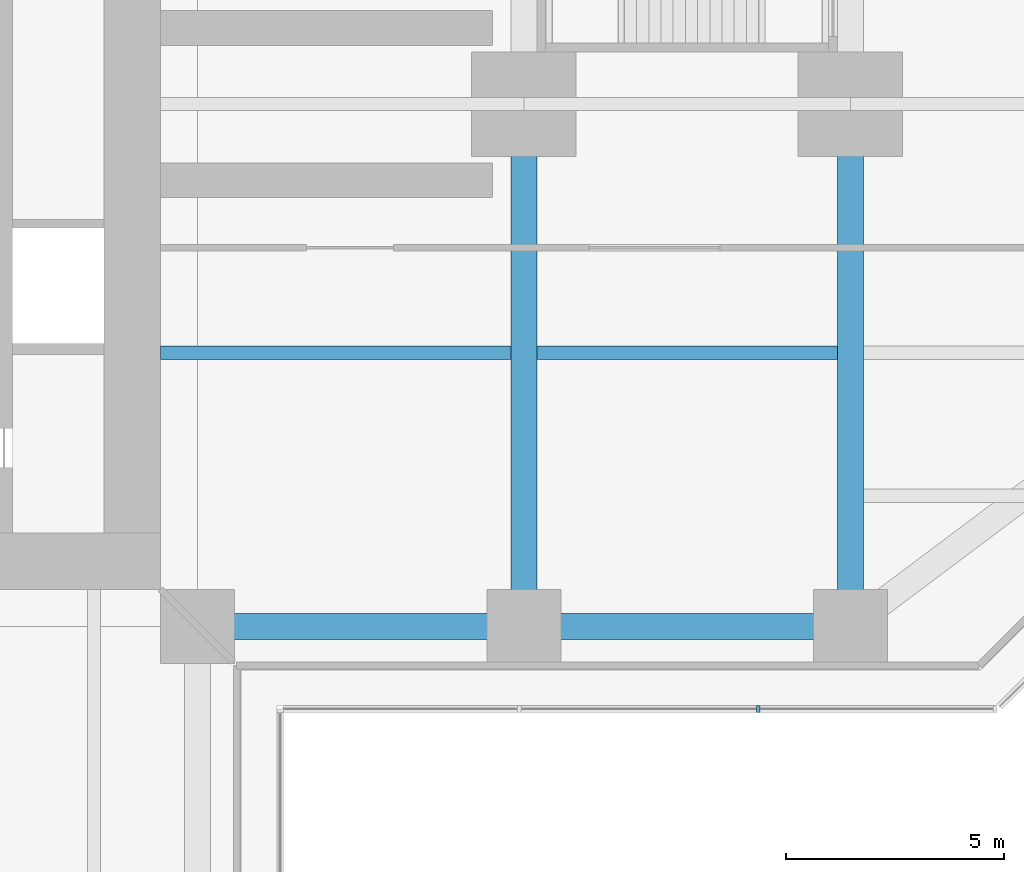
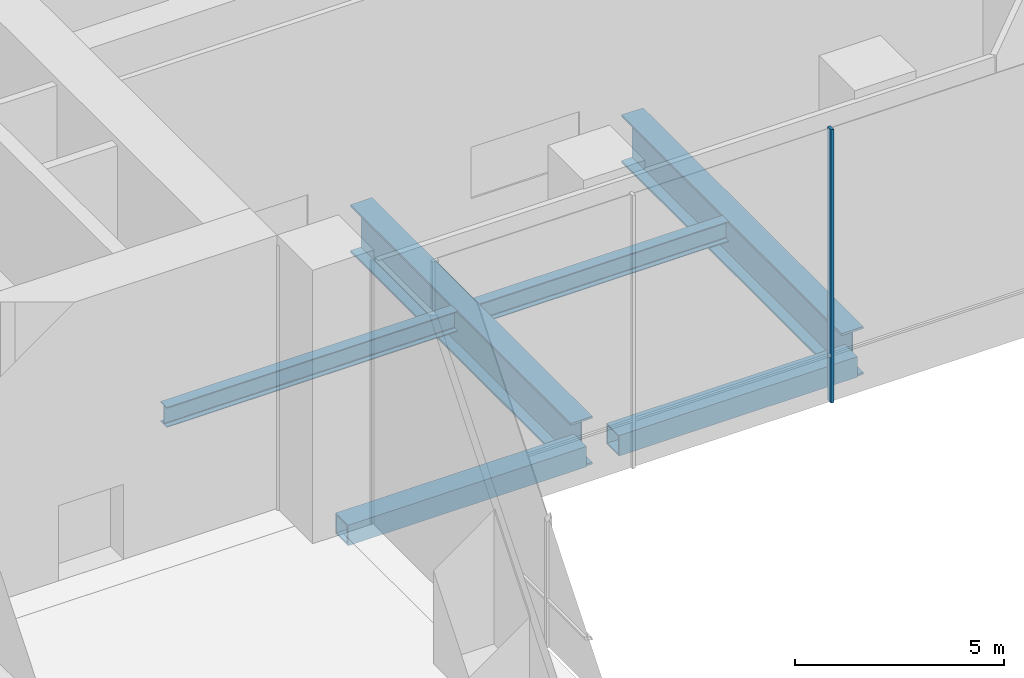
# One storey, part 6 of 25: 6 beams, 1 member, 1 element without a shape of its own.
"""IFC4 building model written with IfcOpenShell, lengths in metres."""

import ifcopenshell
import ifcopenshell.guid

model = None  # the IFC model being written
_history = None  # IfcOwnerHistory: only IFC2X3 demands one
_inside = {}  # id of a spatial element -> (the spatial element, [elements in it])
_under = {}  # id of a project, library or spatial element -> (it, [spatial elements below it])
_declared = {}  # id of a project -> (the project, [libraries it declares])
_typed = {}  # id of a type object -> (the type object, [elements of that type])
_made_of = {}  # id of a material, layer set ... -> (it, [elements and type objects made of it])


def new_model(schema):
    """Start an empty IFC model of exactly this schema.

    Asked for "IFC4X3", IfcOpenShell would pick the latest addendum, in which some entities
    have other attributes; the version numbers below select the first issue.
    IFC2X3 requires an IfcOwnerHistory on every rooted entity: one is made here for all.
    """
    global model, _history
    if schema == "IFC4X3":
        model = ifcopenshell.file(schema_version=(4, 3, 0, 0))
    else:
        model = ifcopenshell.file(schema=schema)
    _inside.clear()
    _under.clear()
    _declared.clear()
    _typed.clear()
    _made_of.clear()
    _history = None
    if model.schema == "IFC2X3":
        org = make("IfcOrganization", Name="unknown")
        user = make(
            "IfcPersonAndOrganization",
            ThePerson=make("IfcPerson", FamilyName="unknown"),
            TheOrganization=org,
        )
        app = make(
            "IfcApplication",
            ApplicationDeveloper=org,
            Version="unknown",
            ApplicationFullName="unknown",
            ApplicationIdentifier="unknown",
        )
        _history = make(
            "IfcOwnerHistory",
            OwningUser=user,
            OwningApplication=app,
            ChangeAction="ADDED",
            CreationDate=0,
        )
    return model


def make(cls, **values):
    """One entity of the class cls with the attributes given. An attribute that is None is left unset."""
    return model.create_entity(
        cls, **{name: value for name, value in values.items() if value is not None}
    )


def rooted(cls, **values):
    """An entity with a GlobalId (a new one), such as an element, a storey or a relation."""
    return make(cls, GlobalId=ifcopenshell.guid.new(), OwnerHistory=_history, **values)


def si_unit(unit_type, name, prefix=None):
    """IfcSIUnit, for example si_unit("LENGTHUNIT", "METRE", prefix="MILLI")."""
    return make("IfcSIUnit", UnitType=unit_type, Prefix=prefix, Name=name)


def assignment(units):
    """IfcUnitAssignment: the units of a project."""
    return None if units is None else make("IfcUnitAssignment", Units=units)


def point(xyz):
    """IfcCartesianPoint."""
    return None if xyz is None else make("IfcCartesianPoint", Coordinates=xyz)


def direction(xyz):
    """IfcDirection."""
    return None if xyz is None else make("IfcDirection", DirectionRatios=xyz)


def frame(location, z_axis=None, x_axis=None):
    """IfcAxis2Placement3D, a coordinate frame: its origin and axes. An axis left out is left unset."""
    return make(
        "IfcAxis2Placement3D",
        Location=point(location),
        Axis=direction(z_axis),
        RefDirection=direction(x_axis),
    )


def frame_2d(location, x_axis=None):
    """IfcAxis2Placement2D, a coordinate frame in the plane: its origin and x axis."""
    return make(
        "IfcAxis2Placement2D", Location=point(location), RefDirection=direction(x_axis)
    )


def origin():
    """The frame at (0, 0, 0) with its axes left unset."""
    return frame((0.0, 0.0, 0.0))


def origin_2d():
    """The frame at (0, 0) in the plane with its x axis left unset."""
    return frame_2d((0.0, 0.0))


def place(relative_to, where):
    """IfcLocalPlacement: puts the frame where relative to a parent placement (None: the world)."""
    return make(
        "IfcLocalPlacement", PlacementRelTo=relative_to, RelativePlacement=where
    )


def context(
    kind, dimensions, precision=None, world=None, true_north=None, identifier=None
):
    """IfcGeometricRepresentationContext, for example the 3D "Model" context."""
    return make(
        "IfcGeometricRepresentationContext",
        ContextIdentifier=identifier,
        ContextType=kind,
        CoordinateSpaceDimension=dimensions,
        Precision=precision,
        WorldCoordinateSystem=world,
        TrueNorth=true_north,
    )


def subcontext(parent, identifier, kind, view, scale=None):
    """IfcGeometricRepresentationSubContext, for example "Body" below "Model"."""
    return make(
        "IfcGeometricRepresentationSubContext",
        ContextIdentifier=identifier,
        ContextType=kind,
        ParentContext=parent,
        TargetScale=scale,
        TargetView=view,
    )


def project(units=None, contexts=None):
    """IfcProject with its units and contexts."""
    return rooted(
        "IfcProject",
        Name="project",
        RepresentationContexts=contexts,
        UnitsInContext=assignment(units),
    )


def spatial(cls, under=None, at=None, **own):
    """A site, building, storey or space (cls), placed at a placement, below another one or the project."""
    s = rooted(cls, ObjectPlacement=at, **own)
    if under is not None:
        _under.setdefault(under.id(), (under, []))[1].append(s)
    return s


def profile(cls, at=None, kind="AREA", **sizes):
    """A parametric profile (cls). Its sizes go by their IFC names, for example OverallWidth=200.0."""
    return make(cls, ProfileType=kind, Position=at, **sizes)


def rectangle(**sizes):
    """IfcRectangleProfileDef."""
    return profile("IfcRectangleProfileDef", **sizes)


def hollow_rectangle(**sizes):
    """IfcRectangleHollowProfileDef."""
    return profile("IfcRectangleHollowProfileDef", **sizes)


def i_section(**sizes):
    """IfcIShapeProfileDef."""
    return profile("IfcIShapeProfileDef", **sizes)


def extrude(swept, where, along, depth):
    """IfcExtrudedAreaSolid: the profile swept, set in the frame where, extruded along a direction by depth."""
    return make(
        "IfcExtrudedAreaSolid",
        SweptArea=swept,
        Position=where,
        ExtrudedDirection=direction(along),
        Depth=depth,
    )


def shape(context_of_items, identifier, shape_type, items):
    """IfcShapeRepresentation: the items that make up one representation, for example the "Body"."""
    return make(
        "IfcShapeRepresentation",
        ContextOfItems=context_of_items,
        RepresentationIdentifier=identifier,
        RepresentationType=shape_type,
        Items=items,
    )


def material(Name=None, Category=None):
    """IfcMaterial."""
    return make("IfcMaterial", Name=Name, Category=Category)


def material_profile(
    of_material, cross_section, Name=None, Category=None, Priority=None
):
    """IfcMaterialProfile: a cross section and its material."""
    return make(
        "IfcMaterialProfile",
        Name=Name,
        Material=of_material,
        Profile=cross_section,
        Priority=Priority,
        Category=Category,
    )


def profile_set(profiles, Name=None, composite=None):
    """IfcMaterialProfileSet."""
    return make(
        "IfcMaterialProfileSet",
        Name=Name,
        MaterialProfiles=profiles,
        CompositeProfile=composite,
    )


def made_of(thing, what):
    """Note that an element or type object is made of a material, layer set ...; save() writes the relation."""
    if what is not None:
        _made_of.setdefault(what.id(), (what, []))[1].append(thing)
    return thing


def type_object(cls, material=None, **own):
    """A type object (cls), such as IfcWallType, which elements share."""
    return made_of(rooted(cls, **own), material)


def element(
    cls,
    number,
    at=None,
    inside=None,
    cuts=None,
    type_object=None,
    material=None,
    context=None,
    identifier="Body",
    shape_type=None,
    held_by="IfcProductDefinitionShape",
    body=None,
    shapes=None,
    **own,
):
    """One element of the class cls, such as IfcWall. Its Tag is "e" and its number.

    at: its placement. inside: the storey or other place that contains it. cuts: it is an
    opening in that element (IfcRelVoidsElement). A single representation is given by context,
    identifier, shape_type and body (its items); several are given by shapes. held_by: the class
    of the entity that holds the representations. save() writes the other relations.
    """
    e = rooted(cls, Tag="e%d" % number, ObjectPlacement=at, **own)
    if body is not None:
        shapes = [shape(context, identifier, shape_type, body)]
    if shapes is not None:
        e.Representation = make(held_by, Representations=shapes)
    if inside is not None:
        _inside.setdefault(inside.id(), (inside, []))[1].append(e)
    if cuts is not None:
        rooted(
            "IfcRelVoidsElement", RelatingBuildingElement=cuts, RelatedOpeningElement=e
        )
    if type_object is not None:
        _typed.setdefault(type_object.id(), (type_object, []))[1].append(e)
    return made_of(e, material)


def aggregate(whole, parts):
    """IfcRelAggregates: a whole, such as a stair, and the parts it consists of."""
    return rooted("IfcRelAggregates", RelatingObject=whole, RelatedObjects=parts)


def save(model, path):
    """Write the relations noted so far, then the file.

    IfcRelAggregates (storeys below a building ...), IfcRelContainedInSpatialStructure (elements
    in a storey), IfcRelDefinesByType, IfcRelAssociatesMaterial and IfcRelDeclares: one each for
    every whole, place, type object, material and project.
    """
    for whole, parts in _under.values():
        aggregate(whole, parts)
    for where, things in _inside.values():
        rooted(
            "IfcRelContainedInSpatialStructure",
            RelatedElements=things,
            RelatingStructure=where,
        )
    for kind, things in _typed.values():
        rooted("IfcRelDefinesByType", RelatedObjects=things, RelatingType=kind)
    for what, things in _made_of.values():
        rooted("IfcRelAssociatesMaterial", RelatedObjects=things, RelatingMaterial=what)
    for by, libraries in _declared.values():
        rooted("IfcRelDeclares", RelatingContext=by, RelatedDefinitions=libraries)
    model.write(path)


model = new_model("IFC4")

# Units and contexts
model_context = context("Model", 3, precision=1e-05, world=origin(), true_north=direction((0.0, 1.0)))
body_context = subcontext(model_context, "Body", "Model", "MODEL_VIEW")
ifc_project = project(units=[si_unit("LENGTHUNIT", "METRE"), si_unit("AREAUNIT", "SQUARE_METRE"), si_unit("VOLUMEUNIT", "CUBIC_METRE"), si_unit("PLANEANGLEUNIT", "RADIAN"), si_unit("MASSUNIT", "GRAM", prefix="KILO")], contexts=[model_context])

# Site, building, storey
site_placement = place(None, origin())
site = spatial("IfcSite", under=ifc_project, at=site_placement, CompositionType="ELEMENT")
building_placement = place(site_placement, origin())
building = spatial("IfcBuilding", under=site, at=building_placement, Name="Mizan Broadcast Tower", CompositionType="ELEMENT")
storey_placement = place(building_placement, frame((0.0, 0.0, 15.0)))
storey = spatial("IfcBuildingStorey", under=building, at=storey_placement, Name="L02", CompositionType="ELEMENT", Elevation=15.0)

# Beams
ifc_material_1 = material(Name="Steel S355", Category="steel")
ifc_material_profile_1 = material_profile(ifc_material_1, hollow_rectangle(XDim=0.60009765625, YDim=0.60009765625, WallThickness=0.0400390625, at=origin_2d()), Name="BOX 600x600x40")
ifc_profile_set_1 = profile_set([ifc_material_profile_1], Name="Steel S355")
beam_type_1 = type_object("IfcBeamType", Name="EDGE BEAM BOX 600x600x40", PredefinedType="SPANDREL", material=ifc_profile_set_1)
for number, where, z_axis, x_axis, name in (
    (1, (12.449951171875, -12.0, -0.550048828125), (1.0, 0.0, 0.0), (0.0, 1.0, 0.0), "Edge beam BOX 600x600x40 L02 east arm"),
    (2, (19.949951171875, -12.0, -0.550048828125), (1.0, 0.0, 0.0), (0.0, 1.0, 0.0), "Edge beam BOX 600x600x40 L02 east arm"),
):
    element("IfcBeam", number, at=place(storey_placement, frame(where, z_axis=z_axis, x_axis=x_axis)), inside=storey, type_object=beam_type_1, Name=name, PredefinedType="SPANDREL", context=body_context, shape_type="SweptSolid", body=[
        extrude(hollow_rectangle(XDim=0.60009765625, YDim=0.60009765625, WallThickness=0.0400390625, at=origin_2d()), origin(), (0.0, 0.0, 1.0), 6.60009765625),
    ])
ifc_material_2 = material(Name="Steel S460", Category="steel")
ifc_material_profile_2 = material_profile(ifc_material_2, i_section(OverallWidth=0.60009765625, OverallDepth=1.39990234375, WebThickness=0.02490234375, FlangeThickness=0.06005859375, at=origin_2d()), Name="WPG 1400x600")
ifc_profile_set_2 = profile_set([ifc_material_profile_2], Name="Steel S460")
beam_type_2 = type_object("IfcBeamType", Name="GIRDER WPG 1400x600", PredefinedType="BEAM", material=ifc_profile_set_2)
for number, where, z_axis, x_axis, name in (
    (3, (19.5, -11.280029296875, -0.949951171875), (0.0, 1.0, 0.0), (-1.0, 0.0, 0.0), "Girder WPG 1400x600 L02 east arm"),
    (4, (27.0, -11.280029296875, -0.949951171875), (0.0, 1.0, 0.0), (-1.0, 0.0, 0.0), "Girder WPG 1400x600 L02 east arm"),
):
    element("IfcBeam", number, at=place(storey_placement, frame(where, z_axis=z_axis, x_axis=x_axis)), inside=storey, type_object=beam_type_2, Name=name, PredefinedType="BEAM", context=body_context, shape_type="SweptSolid", body=[
        extrude(i_section(OverallWidth=0.60009765625, OverallDepth=1.39990234375, WebThickness=0.02490234375, FlangeThickness=0.06005859375, at=origin_2d()), origin(), (0.0, 0.0, 1.0), 10.56005859375),
    ])

# Curtain wall, member
ifc_material_3 = material(Name="Aluminium framed glazing", Category="aluminium")
curtain_wall_type = type_object("IfcCurtainWallType", Name="OUTER SKIN", PredefinedType="USERDEFINED", material=ifc_material_3)
curtain_wall_placement = place(storey_placement, origin())
curtain_wall = element("IfcCurtainWall", 5, at=curtain_wall_placement, inside=storey, type_object=curtain_wall_type, Name="Outer skin L02 E side", ObjectType="OUTER SKIN", PredefinedType="USERDEFINED")
ifc_material_4 = material(Name="Aluminium, pale anodised", Category="aluminium")
ifc_material_profile_3 = material_profile(ifc_material_4, rectangle(XDim=0.159912109375, YDim=0.080078125, at=origin_2d()), Name="MULLION 160x80")
ifc_profile_set_3 = profile_set([ifc_material_profile_3], Name="Aluminium, pale anodised")
member_type = type_object("IfcMemberType", Name="OUTER SKIN MULLION 80x160", PredefinedType="MULLION", material=ifc_profile_set_3)
member_placement = place(storey_placement, frame((24.8818359375, -13.89990234375, 0.0), z_axis=(0.0, 0.0, 1.0), x_axis=(0.0, 1.0, 0.0)))
member = element("IfcMember", 6, at=member_placement, type_object=member_type, Name="Outer skin L02 E side mullion 3", PredefinedType="MULLION", context=body_context, shape_type="SweptSolid", body=[
    extrude(rectangle(XDim=0.159912109375, YDim=0.080078125, at=origin_2d()), origin(), (0.0, 0.0, 1.0), 8.0),
])
aggregate(curtain_wall, [member])

# Beams
ifc_material_5 = material(Name="Steel S355", Category="steel")
ifc_material_profile_4 = material_profile(ifc_material_5, i_section(OverallWidth=0.300048828125, OverallDepth=0.590087890625, WebThickness=0.012939453125, FlangeThickness=0.02490234375, FilletRadius=0.027099609375, at=origin_2d()), Name="HEA 600")
ifc_profile_set_4 = profile_set([ifc_material_profile_4], Name="Steel S355")
beam_type_3 = type_object("IfcBeamType", Name="SECONDARY BEAM HEA 600", PredefinedType="JOIST", material=ifc_profile_set_4)
beam_1_placement = place(storey_placement, frame((11.14990234375, -5.71435546875, -0.544921875), z_axis=(1.0, 0.0, 0.0), x_axis=(0.0, 1.0, 0.0)))
element("IfcBeam", 7, at=beam_1_placement, inside=storey, type_object=beam_type_3, Name="Secondary beam HEA 600 L02 east arm", PredefinedType="JOIST", context=body_context, shape_type="SweptSolid", body=[
    extrude(i_section(OverallWidth=0.300048828125, OverallDepth=0.590087890625, WebThickness=0.012939453125, FlangeThickness=0.02490234375, FilletRadius=0.027099609375, at=origin_2d()), origin(), (0.0, 0.0, 1.0), 8.050048828125),
])
beam_2_placement = place(storey_placement, frame((19.800048828125, -5.71435546875, -0.544921875), z_axis=(1.0, 0.0, 0.0), x_axis=(0.0, 1.0, 0.0)))
element("IfcBeam", 8, at=beam_2_placement, inside=storey, type_object=beam_type_3, Name="Secondary beam HEA 600 L02 east arm", PredefinedType="JOIST", context=body_context, shape_type="SweptSolid", body=[
    extrude(i_section(OverallWidth=0.300048828125, OverallDepth=0.590087890625, WebThickness=0.012939453125, FlangeThickness=0.02490234375, FilletRadius=0.027099609375, at=origin_2d()), origin(), (0.0, 0.0, 1.0), 6.89990234375),
])

save(model, "model.ifc")
